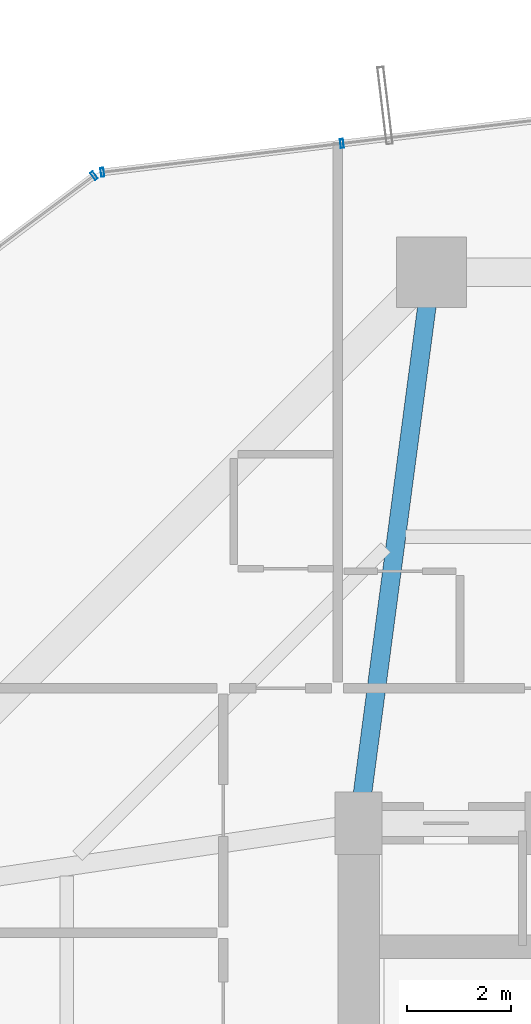
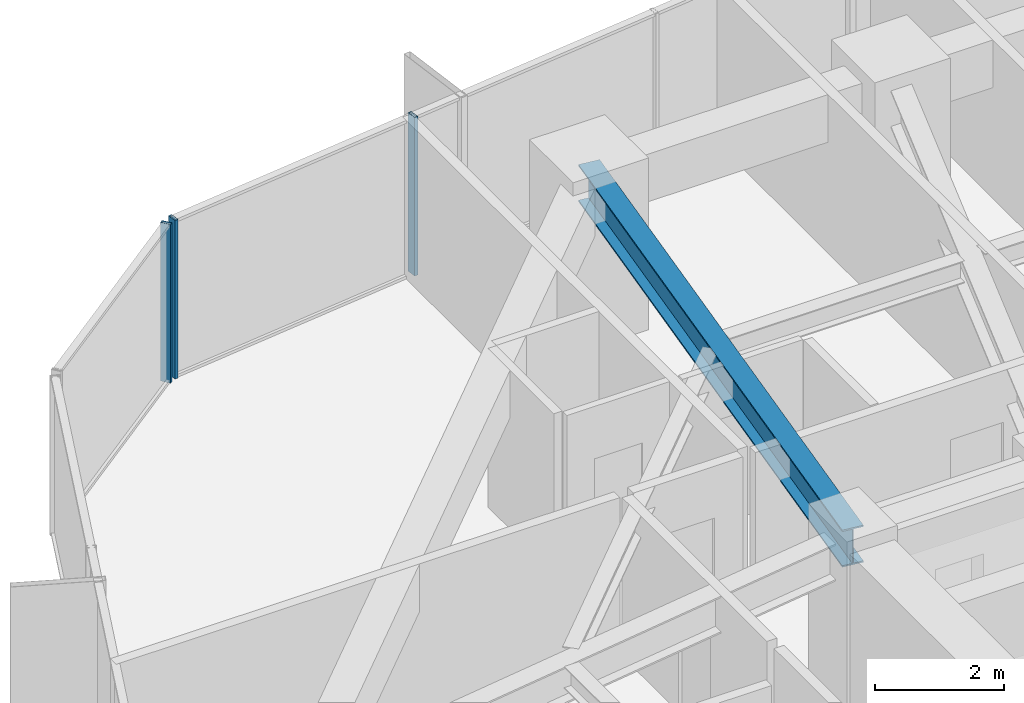
# One storey, part 23 of 37: 3 members, 1 beam, 2 elements without a shape of their own.
"""IFC4 building model written with IfcOpenShell, lengths in metres."""

from ifc_helpers import new_model, si_unit, direction, frame, origin, origin_2d, place, context, subcontext, project, spatial, hollow_rectangle, i_section, extrude, source, transform, mapped, material, layer, layer_set, material_profile, profile_set, type_object, element, aggregate, save


model = new_model("IFC4")

# Units and contexts
model_context = context("Model", 3, precision=1e-05, world=origin(), true_north=direction((0.0, 1.0)))
body_context = subcontext(model_context, "Body", "Model", "MODEL_VIEW")
ifc_project = project(units=[si_unit("LENGTHUNIT", "METRE"), si_unit("AREAUNIT", "SQUARE_METRE"), si_unit("VOLUMEUNIT", "CUBIC_METRE"), si_unit("PLANEANGLEUNIT", "RADIAN"), si_unit("MASSUNIT", "GRAM", prefix="KILO")], contexts=[model_context])

# Site, building, storey
site_placement = place(None, origin())
site = spatial("IfcSite", under=ifc_project, at=site_placement, CompositionType="ELEMENT")
building_placement = place(site_placement, origin())
building = spatial("IfcBuilding", under=site, at=building_placement, Name="Veraguas Prism Commons", CompositionType="ELEMENT")
storey_placement = place(building_placement, frame((0.0, 0.0, 46.800048828125)))
storey = spatial("IfcBuildingStorey", under=building, at=storey_placement, Name="L12", CompositionType="ELEMENT", Elevation=46.800048828125)

# Beam
ifc_material_1 = material(Name="Steel ASTM A992 Grade 50", Category="steel")
ifc_material_profile_1 = material_profile(ifc_material_1, i_section(OverallWidth=0.35595703125, OverallDepth=0.700927734375, WebThickness=0.016845703125, FlangeThickness=0.02734375, at=origin_2d()), Name="W690X240")
ifc_profile_set_1 = profile_set([ifc_material_profile_1], Name="Steel ASTM A992 Grade 50")
beam_type = type_object("IfcBeamType", Name="Zone 1 Radial Girder W690x240", PredefinedType="BEAM", material=ifc_profile_set_1)
beam_placement = place(storey_placement, frame((18.60009765625, 41.60009765625, 2.6494140625), z_axis=(-0.130950648891, -0.991388888154, 0.0), x_axis=(0.991388888154, -0.130950648891, 0.0)))
element("IfcBeam", 1, at=beam_placement, inside=storey, type_object=beam_type, Name="Radial Floor Girder L12-RD06", PredefinedType="BEAM", context=body_context, shape_type="SweptSolid", body=[
    extrude(i_section(OverallWidth=0.35595703125, OverallDepth=0.700927734375, WebThickness=0.016845703125, FlangeThickness=0.02734375, at=origin_2d()), origin(), (0.0, 0.0, 1.0), 10.692138671875),
])

# Curtain wall, members
ifc_material_2 = material(Name="Anodised aluminium EN AW-6063 T6", Category="aluminium")
ifc_layer = layer(ifc_material_2, 0.169921875, Name="Unitised Flush Curtain Wall Zone 1", Category="aluminium")
ifc_layer_set = layer_set([ifc_layer], Name="Anodised aluminium EN AW-6063 T6")
curtain_wall_type = type_object("IfcCurtainWallType", Name="Unitised Flush Curtain Wall Zone 1", PredefinedType="NOTDEFINED", material=ifc_layer_set)
curtain_wall_1_placement = place(storey_placement, origin())
curtain_wall_1 = element("IfcCurtainWall", 2, at=curtain_wall_1_placement, inside=storey, type_object=curtain_wall_type, Name="Tower Facade Curtain Wall L12-F2", PredefinedType="NOTDEFINED")
ifc_material_profile_2 = material_profile(ifc_material_2, hollow_rectangle(XDim=0.06005859375, YDim=0.169921875, WallThickness=0.00390625, at=origin_2d()), Name="AL60X170X4")
ifc_profile_set_2 = profile_set([ifc_material_profile_2], Name="Anodised aluminium EN AW-6063 T6")
member_type = type_object("IfcMemberType", Name="Curtain Wall Mullion Lower AL 60x170x4", PredefinedType="MULLION", material=ifc_profile_set_2)
shared_shape = source(origin(), body_context, "Body", "SweptSolid", [
    extrude(hollow_rectangle(XDim=0.06005859375, YDim=0.169921875, WallThickness=0.00390625, at=origin_2d()), origin(), (0.0, 0.0, 1.0), 3.0),
])
member_1_placement = place(storey_placement, frame((16.8798828125, 44.077880859375, 0.0), z_axis=(0.0, 0.0, 1.0), x_axis=(-0.992841388261, -0.119440268573, 0.0)))
member_1 = element("IfcMember", 3, at=member_1_placement, type_object=member_type, Name="CW-Z1 Mullion 4", PredefinedType="MULLION", context=body_context, shape_type="MappedRepresentation", body=[
    mapped(shared_shape, transform((0.0, 0.0, 0.0), scale=1.0)),
])
member_2_placement = place(storey_placement, frame((12.272216796875, 43.523681640625, 0.0), z_axis=(0.0, 0.0, 1.0), x_axis=(-0.992841388261, -0.119440268573, 0.0)))
member_2 = element("IfcMember", 4, at=member_2_placement, type_object=member_type, Name="CW-Z1 Mullion 5", PredefinedType="MULLION", context=body_context, shape_type="MappedRepresentation", body=[
    mapped(shared_shape, transform((0.0, 0.0, 0.0), scale=1.0)),
])
aggregate(curtain_wall_1, [member_1, member_2])

# Curtain wall, member
curtain_wall_2_placement = place(storey_placement, origin())
curtain_wall_2 = element("IfcCurtainWall", 5, at=curtain_wall_2_placement, inside=storey, type_object=curtain_wall_type, Name="Chamfer Curtain Wall L12-C3", PredefinedType="NOTDEFINED")
member_3_placement = place(storey_placement, frame((12.11083984375, 43.458740234375, 0.0), z_axis=(0.0, 0.0, 1.0), x_axis=(-0.800106776826, -0.599857604501, 0.0)))
member_3 = element("IfcMember", 6, at=member_3_placement, type_object=member_type, Name="CW-Z1 Mullion 1", PredefinedType="MULLION", context=body_context, shape_type="MappedRepresentation", body=[
    mapped(shared_shape, transform((0.0, 0.0, 0.0), scale=1.0)),
])
aggregate(curtain_wall_2, [member_3])

save(model, "model.ifc")
